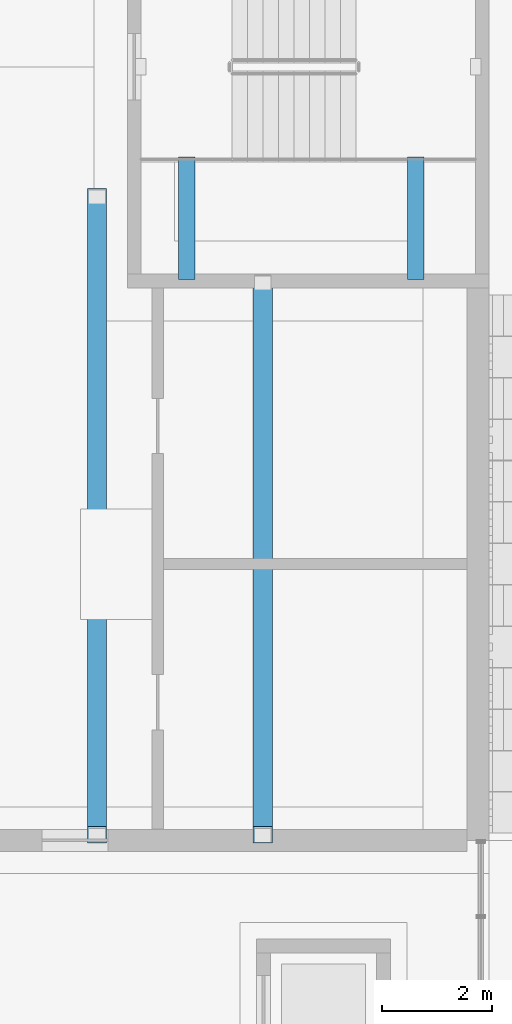
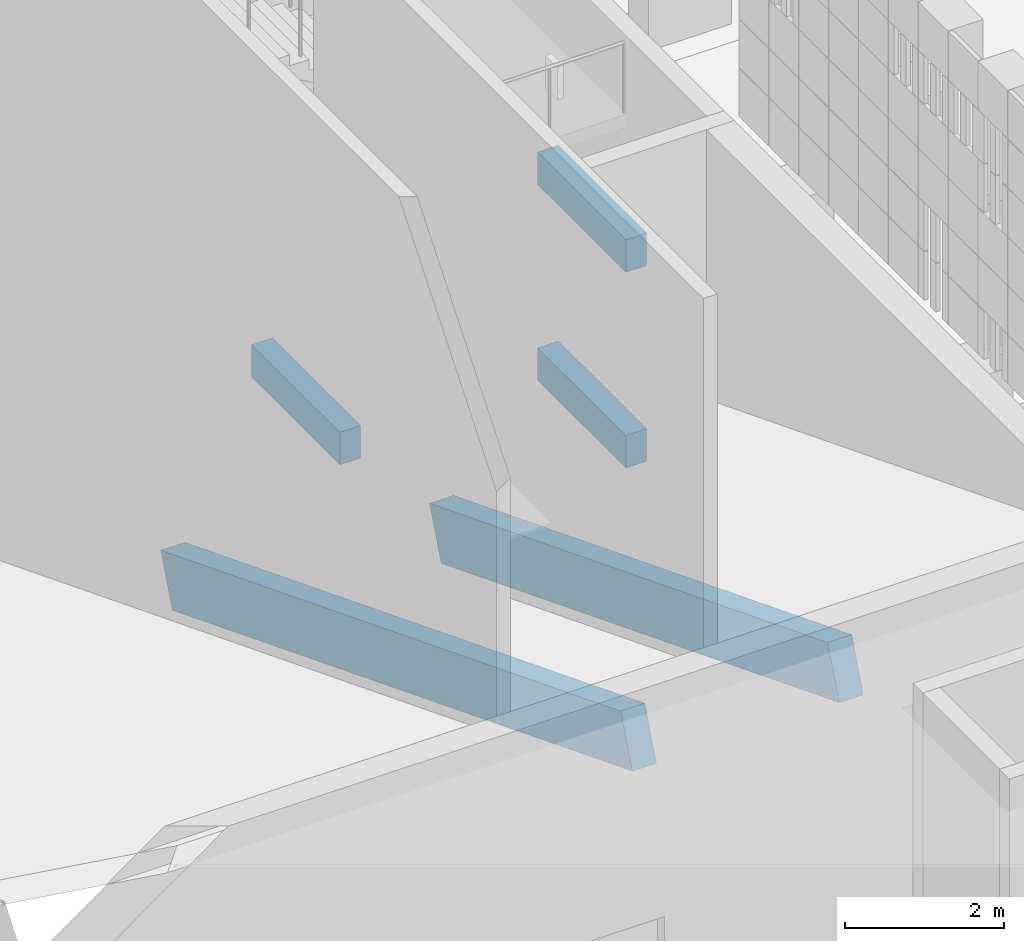
# One storey, part 17 of 125: 5 beams.
"""IFC4 building model written with IfcOpenShell, lengths in metres."""

from ifc_helpers import new_model, si_unit, direction, frame, origin, origin_2d, place, context, subcontext, project, spatial, rectangle, extrude, material, material_profile, profile_set, type_object, element, save


model = new_model("IFC4")

# Units and contexts
model_context = context("Model", 3, precision=1e-05, world=origin(), true_north=direction((0.0, 1.0)))
body_context = subcontext(model_context, "Body", "Model", "MODEL_VIEW")
ifc_project = project(units=[si_unit("LENGTHUNIT", "METRE"), si_unit("AREAUNIT", "SQUARE_METRE"), si_unit("VOLUMEUNIT", "CUBIC_METRE"), si_unit("PLANEANGLEUNIT", "RADIAN"), si_unit("MASSUNIT", "GRAM", prefix="KILO")], contexts=[model_context])

# Site, building, storey
site_placement = place(None, origin())
site = spatial("IfcSite", under=ifc_project, at=site_placement, CompositionType="ELEMENT")
building_placement = place(site_placement, origin())
building = spatial("IfcBuilding", under=site, at=building_placement, Name="Sun Court Science Centre", CompositionType="ELEMENT")
storey_placement = place(building_placement, origin())
storey = spatial("IfcBuildingStorey", under=building, at=storey_placement, Name="L00", CompositionType="ELEMENT", Elevation=0.0)

# Beams
ifc_material_1 = material(Name="Concrete C25/30", Category="concrete")
ifc_material_profile_1 = material_profile(ifc_material_1, rectangle(XDim=0.35009765625, YDim=0.800048828125, at=origin_2d()), Name="RC 350x800")
ifc_profile_set_1 = profile_set([ifc_material_profile_1], Name="Concrete C25/30")
beam_type_1 = type_object("IfcBeamType", Name="RC girder 350x800", PredefinedType="BEAM", material=ifc_profile_set_1)
beam_1_placement = place(storey_placement, frame((16.89990234375, 54.10009765625, 4.73828125), z_axis=(0.0, 0.930752927943, -0.365648720942), x_axis=(-1.0, 0.0, 0.0)))
element("IfcBeam", 1, at=beam_1_placement, inside=storey, type_object=beam_type_1, Name="Raker beam 6", PredefinedType="BEAM", context=body_context, shape_type="SweptSolid", body=[
    extrude(rectangle(XDim=0.35009765625, YDim=0.800048828125, at=origin_2d()), origin(), (0.0, 0.0, 1.0), 12.41162109375),
])
beam_2_placement = place(storey_placement, frame((19.89990234375, 54.10009765625, 4.73828125), z_axis=(0.0, 0.93075480777, -0.365643935836), x_axis=(-1.0, 0.0, 0.0)))
element("IfcBeam", 2, at=beam_2_placement, inside=storey, type_object=beam_type_1, Name="Raker beam 7", PredefinedType="BEAM", context=body_context, shape_type="SweptSolid", body=[
    extrude(rectangle(XDim=0.35009765625, YDim=0.800048828125, at=origin_2d()), origin(), (0.0, 0.0, 1.0), 10.743896484375),
])
ifc_material_2 = material(Name="Concrete C25/30", Category="concrete")
ifc_material_profile_2 = material_profile(ifc_material_2, rectangle(XDim=0.300048828125, YDim=0.5, at=origin_2d()), Name="RC 300x500")
ifc_profile_set_2 = profile_set([ifc_material_profile_2], Name="Concrete C25/30")
beam_type_2 = type_object("IfcBeamType", Name="RC landing trimmer 300x500", PredefinedType="BEAM", material=ifc_profile_set_2)
for number, where, z_axis, x_axis, name in (
    (3, (22.6689453125, 64.14990234375, 1.050048828125), (0.0, 1.0, 0.0), (-1.0, 0.0, 0.0), "ST2 landing 1 trimmer beam 1"),
    (4, (18.52392578125, 64.14990234375, 2.550048828125), (0.0, 1.0, 0.0), (-1.0, 0.0, 0.0), "ST2 landing 2 trimmer beam 4"),
    (5, (22.6689453125, 64.14990234375, 4.050048828125), (0.0, 1.0, 0.0), (-1.0, 0.0, 0.0), "ST2 landing 3 trimmer beam 7"),
):
    element("IfcBeam", number, at=place(storey_placement, frame(where, z_axis=z_axis, x_axis=x_axis)), inside=storey, type_object=beam_type_2, Name=name, PredefinedType="BEAM", context=body_context, shape_type="SweptSolid", body=[
        extrude(rectangle(XDim=0.300048828125, YDim=0.5, at=origin_2d()), origin(), (0.0, 0.0, 1.0), 2.217041015625),
    ])

save(model, "model.ifc")
